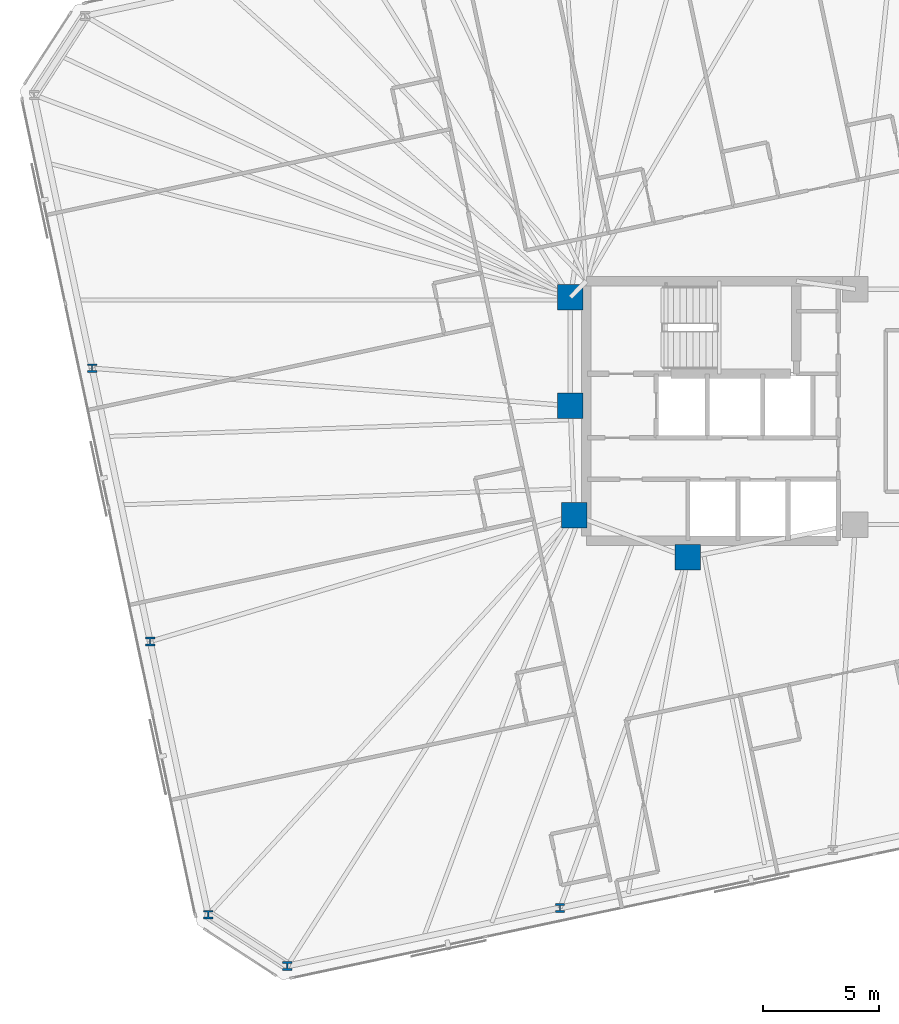
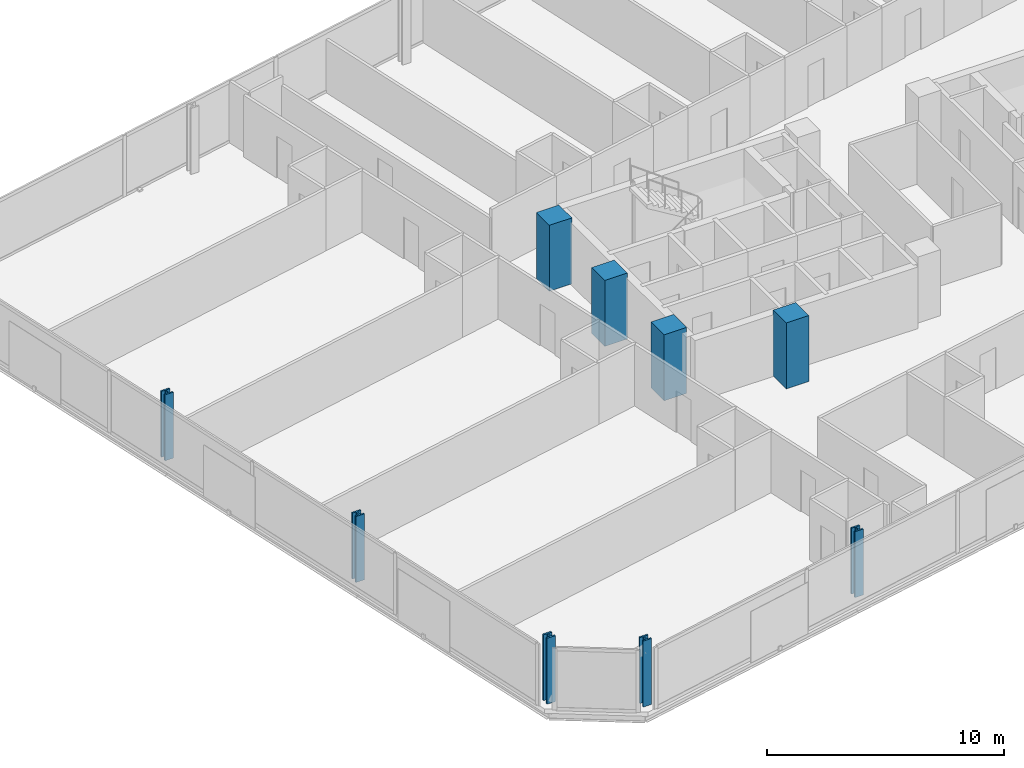
# One storey, part 1 of 20: 9 columns.
"""IFC4 building model written with IfcOpenShell, lengths in metres."""

from ifc_helpers import new_model, si_unit, direction, frame, origin, origin_2d, place, context, subcontext, project, spatial, rectangle, i_section, extrude, material, material_profile, profile_set, type_object, element, save


model = new_model("IFC4")

# Units and contexts
model_context = context("Model", 3, precision=1e-05, world=origin(), true_north=direction((0.0, 1.0)))
body_context = subcontext(model_context, "Body", "Model", "MODEL_VIEW")
ifc_project = project(units=[si_unit("LENGTHUNIT", "METRE"), si_unit("AREAUNIT", "SQUARE_METRE"), si_unit("VOLUMEUNIT", "CUBIC_METRE"), si_unit("PLANEANGLEUNIT", "RADIAN"), si_unit("MASSUNIT", "GRAM", prefix="KILO")], contexts=[model_context])

# Site, building, storey
site_placement = place(None, origin())
site = spatial("IfcSite", under=ifc_project, at=site_placement, CompositionType="ELEMENT")
building_placement = place(site_placement, origin())
building = spatial("IfcBuilding", under=site, at=building_placement, Name="Menara Jurai Vektor", CompositionType="ELEMENT")
storey_placement = place(building_placement, frame((0.0, 0.0, 158.199951171875)))
storey = spatial("IfcBuildingStorey", under=building, at=storey_placement, Name="L40", CompositionType="ELEMENT", Elevation=158.199951171875)

# Columns
ifc_material_1 = material(Name="Concrete C50/60", Category="concrete")
ifc_material_profile_1 = material_profile(ifc_material_1, rectangle(XDim=1.10009765625, YDim=1.10009765625, at=origin_2d()), Name="RC 1100x1100")
ifc_profile_set_1 = profile_set([ifc_material_profile_1], Name="Concrete C50/60")
column_type_1 = type_object("IfcColumnType", Name="STR-COL-RC1100", PredefinedType="COLUMN", material=ifc_profile_set_1)
for number, where, z_axis, x_axis, name in (
    (1, (-15.25, 4.89990234375, 0.0), (0.0, 0.0, 1.0), (1.0, 0.0, 0.0), "Core Spine Column CW-NW L40"),
    (2, (-15.25, 0.219970703125, 0.0), (0.0, 0.0, 1.0), (1.0, 0.0, 0.0), "Core Spine Column CW-WM L40"),
    (3, (-15.080078125, -4.5, 0.0), (0.0, 0.0, 1.0), (1.0, 0.0, 0.0), "Core Spine Column CW-SW L40"),
    (4, (-10.179931640625, -6.320068359375, 0.0), (0.0, 0.0, 1.0), (1.0, 0.0, 0.0), "Core Spine Column CW-SM L40"),
):
    element("IfcColumn", number, at=place(storey_placement, frame(where, z_axis=z_axis, x_axis=x_axis)), inside=storey, type_object=column_type_1, Name=name, PredefinedType="COLUMN", context=body_context, shape_type="SweptSolid", body=[
        extrude(rectangle(XDim=1.10009765625, YDim=1.10009765625, at=origin_2d()), origin(), (0.0, 0.0, 1.0), 3.400146484375),
    ])
ifc_material_2 = material(Name="Steel S460", Category="steel")
ifc_material_profile_2 = material_profile(ifc_material_2, i_section(OverallWidth=0.408935546875, OverallDepth=0.3740234375, WebThickness=0.048095703125, FlangeThickness=0.076904296875, FilletRadius=0.014892578125, at=origin_2d()), Name="HD 400x634")
ifc_profile_set_2 = profile_set([ifc_material_profile_2], Name="Steel S460")
column_type_2 = type_object("IfcColumnType", Name="STR-EXO-BLK3", PredefinedType="COLUMN", material=ifc_profile_set_2)
for number, where, z_axis, x_axis, name in (
    (5, (-27.46484375, -23.94580078125, 0.0), (0.0, 0.0, 1.0), (1.0, 0.0, 0.0), "Exoskeleton Column BLK3-S1 L40"),
    (6, (-15.696533203125, -21.4443359375, 0.0), (0.0, 0.0, 1.0), (1.0, 0.0, 0.0), "Exoskeleton Column BLK3-S2 L40"),
    (7, (-35.8828125, 1.843505859375, 0.0), (0.0, 0.0, 1.0), (1.0, 0.0, 0.0), "Exoskeleton Column BLK3-W2 L40"),
    (8, (-33.377197265625, -9.945068359375, 0.0), (0.0, 0.0, 1.0), (1.0, 0.0, 0.0), "Exoskeleton Column BLK3-W3 L40"),
    (9, (-30.871337890625, -21.7333984375, 0.0), (0.0, 0.0, 1.0), (1.0, 0.0, 0.0), "Exoskeleton Column BLK3-W4 L40"),
):
    element("IfcColumn", number, at=place(storey_placement, frame(where, z_axis=z_axis, x_axis=x_axis)), inside=storey, type_object=column_type_2, Name=name, PredefinedType="COLUMN", context=body_context, shape_type="SweptSolid", body=[
        extrude(i_section(OverallWidth=0.408935546875, OverallDepth=0.3740234375, WebThickness=0.048095703125, FlangeThickness=0.076904296875, FilletRadius=0.014892578125, at=origin_2d()), origin(), (0.0, 0.0, 1.0), 3.400146484375),
    ])

save(model, "model.ifc")
